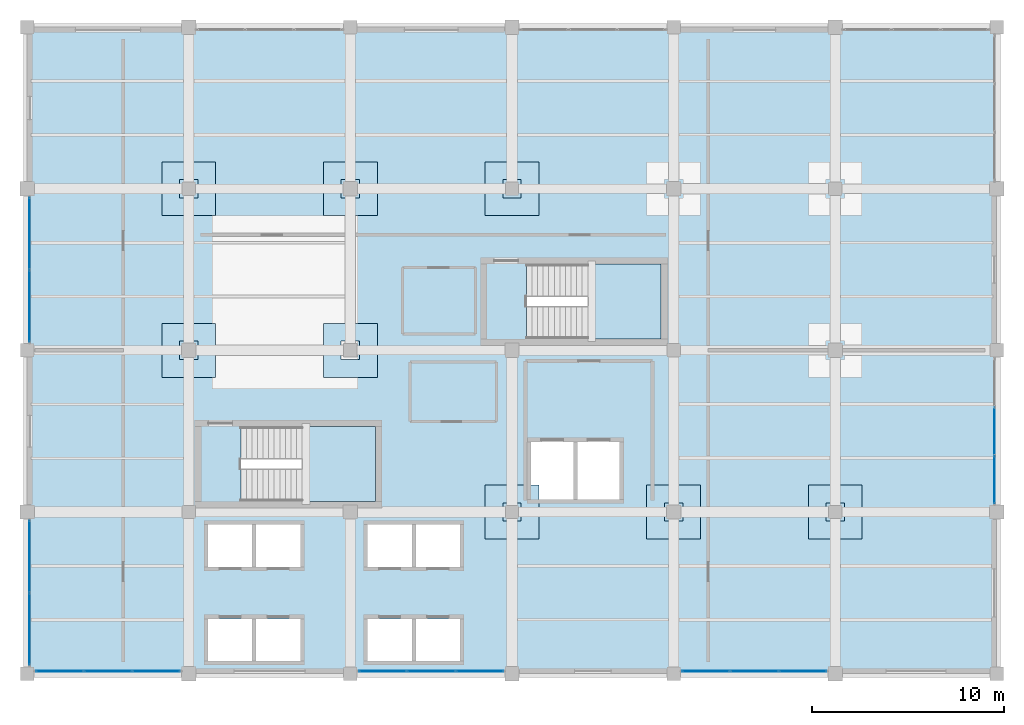
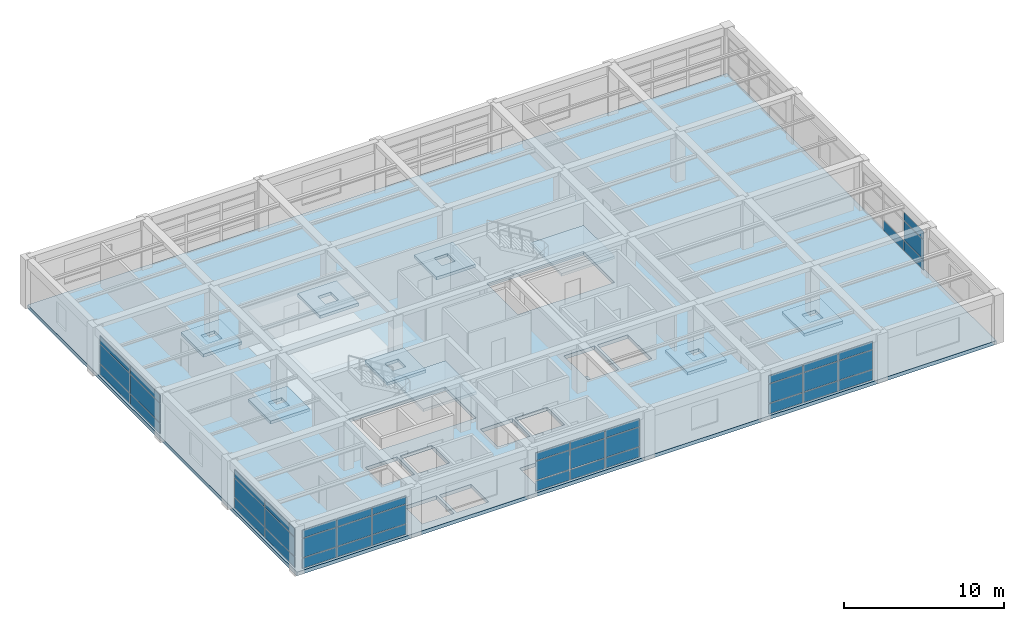
# One storey, part 22 of 26: 43 plates, 11 slabs, 8 elements without a shape of their own.
"""IFC4 building model written with IfcOpenShell, lengths in metres."""

from ifc_helpers import new_model, si_unit, direction, frame, origin, origin_2d, place, context, subcontext, project, spatial, polyline, rectangle, outline, extrude, material, layer, layer_set, type_object, element, aggregate, save


model = new_model("IFC4")

# Units and contexts
model_context = context("Model", 3, precision=1e-05, world=origin(), true_north=direction((0.0, 1.0)))
body_context = subcontext(model_context, "Body", "Model", "MODEL_VIEW")
ifc_project = project(units=[si_unit("LENGTHUNIT", "METRE"), si_unit("AREAUNIT", "SQUARE_METRE"), si_unit("VOLUMEUNIT", "CUBIC_METRE"), si_unit("PLANEANGLEUNIT", "RADIAN"), si_unit("MASSUNIT", "GRAM", prefix="KILO")], contexts=[model_context])

# Site, building, storey
site_placement = place(None, origin())
site = spatial("IfcSite", under=ifc_project, at=site_placement, CompositionType="ELEMENT")
building_placement = place(site_placement, origin())
building = spatial("IfcBuilding", under=site, at=building_placement, Name="Almacenes y Pasaje Nevantli", CompositionType="ELEMENT")
storey_placement = place(building_placement, frame((0.0, 0.0, 30.699951171875)))
storey = spatial("IfcBuildingStorey", under=building, at=storey_placement, Name="L07", CompositionType="ELEMENT", Elevation=30.699951171875)

# Curtain wall, plates
ifc_material_1 = material(Name="Thermally Broken Aluminium and Low-E Glass", Category="aluminium")
curtain_wall_type = type_object("IfcCurtainWallType", Name="CW-UNIT-TOWER", PredefinedType="USERDEFINED", material=ifc_material_1)
curtain_wall_1_placement = place(storey_placement, origin())
curtain_wall_1 = element("IfcCurtainWall", 1, at=curtain_wall_1_placement, inside=storey, type_object=curtain_wall_type, Name="L07 Tower South Unitized Curtain Wall Bay 14", ObjectType="UNITIZED CURTAIN WALL", PredefinedType="USERDEFINED")
ifc_material_2 = material(Name="Low-E Double Glazed Insulated Unit", Category="glass")
ifc_layer_1 = layer(ifc_material_2, 0.031982421875)
ifc_layer_set_1 = layer_set([ifc_layer_1], Name="Low-E Double Glazed Insulated Unit")
plate_type_1 = type_object("IfcPlateType", Name="PL-IGU-32", PredefinedType="CURTAIN_PANEL", material=ifc_layer_set_1)
plate_1_placement = place(storey_placement, frame((110.881591796875, 67.320068359375, 0.06005859375), z_axis=(0.0, 0.0, 1.0), x_axis=(1.0, 0.0, 0.0)))
plate_1 = element("IfcPlate", 2, at=plate_1_placement, type_object=plate_type_1, Name="CW-L07-111 panel 1.1", PredefinedType="CURTAIN_PANEL", context=body_context, shape_type="SweptSolid", body=[
    extrude(rectangle(XDim=2.443359375, YDim=0.031982421875, at=origin_2d()), origin(), (0.0, 0.0, 1.0), 0.760009765625),
])
plate_2_placement = place(storey_placement, frame((110.881591796875, 67.320068359375, 0.880126953125), z_axis=(0.0, 0.0, 1.0), x_axis=(1.0, 0.0, 0.0)))
plate_2 = element("IfcPlate", 3, at=plate_2_placement, type_object=plate_type_1, Name="CW-L07-111 panel 1.2", PredefinedType="CURTAIN_PANEL", context=body_context, shape_type="SweptSolid", body=[
    extrude(rectangle(XDim=2.443359375, YDim=0.031982421875, at=origin_2d()), origin(), (0.0, 0.0, 1.0), 1.43994140625),
])
plate_3_placement = place(storey_placement, frame((110.881591796875, 67.320068359375, 2.3798828125), z_axis=(0.0, 0.0, 1.0), x_axis=(1.0, 0.0, 0.0)))
plate_3 = element("IfcPlate", 4, at=plate_3_placement, type_object=plate_type_1, Name="CW-L07-111 panel 1.3", PredefinedType="CURTAIN_PANEL", context=body_context, shape_type="SweptSolid", body=[
    extrude(rectangle(XDim=2.443359375, YDim=0.031982421875, at=origin_2d()), origin(), (0.0, 0.0, 1.0), 0.60009765625),
])
plate_4_placement = place(storey_placement, frame((113.39990234375, 67.320068359375, 0.06005859375), z_axis=(0.0, 0.0, 1.0), x_axis=(1.0, 0.0, 0.0)))
plate_4 = element("IfcPlate", 5, at=plate_4_placement, type_object=plate_type_1, Name="CW-L07-111 panel 2.1", PredefinedType="CURTAIN_PANEL", context=body_context, shape_type="SweptSolid", body=[
    extrude(rectangle(XDim=2.473388671875, YDim=0.031982421875, at=origin_2d()), origin(), (0.0, 0.0, 1.0), 0.760009765625),
])
plate_5_placement = place(storey_placement, frame((113.39990234375, 67.320068359375, 0.880126953125), z_axis=(0.0, 0.0, 1.0), x_axis=(1.0, 0.0, 0.0)))
plate_5 = element("IfcPlate", 6, at=plate_5_placement, type_object=plate_type_1, Name="CW-L07-111 panel 2.2", PredefinedType="CURTAIN_PANEL", context=body_context, shape_type="SweptSolid", body=[
    extrude(rectangle(XDim=2.473388671875, YDim=0.031982421875, at=origin_2d()), origin(), (0.0, 0.0, 1.0), 1.43994140625),
])
plate_6_placement = place(storey_placement, frame((113.39990234375, 67.320068359375, 2.3798828125), z_axis=(0.0, 0.0, 1.0), x_axis=(1.0, 0.0, 0.0)))
plate_6 = element("IfcPlate", 7, at=plate_6_placement, type_object=plate_type_1, Name="CW-L07-111 panel 2.3", PredefinedType="CURTAIN_PANEL", context=body_context, shape_type="SweptSolid", body=[
    extrude(rectangle(XDim=2.473388671875, YDim=0.031982421875, at=origin_2d()), origin(), (0.0, 0.0, 1.0), 0.60009765625),
])
plate_7_placement = place(storey_placement, frame((115.918212890625, 67.320068359375, 0.06005859375), z_axis=(0.0, 0.0, 1.0), x_axis=(1.0, 0.0, 0.0)))
plate_7 = element("IfcPlate", 8, at=plate_7_placement, type_object=plate_type_1, Name="CW-L07-111 panel 3.1", PredefinedType="CURTAIN_PANEL", context=body_context, shape_type="SweptSolid", body=[
    extrude(rectangle(XDim=2.443359375, YDim=0.031982421875, at=origin_2d()), origin(), (0.0, 0.0, 1.0), 0.760009765625),
])
plate_8_placement = place(storey_placement, frame((115.918212890625, 67.320068359375, 0.880126953125), z_axis=(0.0, 0.0, 1.0), x_axis=(1.0, 0.0, 0.0)))
plate_8 = element("IfcPlate", 9, at=plate_8_placement, type_object=plate_type_1, Name="CW-L07-111 panel 3.2", PredefinedType="CURTAIN_PANEL", context=body_context, shape_type="SweptSolid", body=[
    extrude(rectangle(XDim=2.443359375, YDim=0.031982421875, at=origin_2d()), origin(), (0.0, 0.0, 1.0), 1.43994140625),
])
plate_9_placement = place(storey_placement, frame((115.918212890625, 67.320068359375, 2.3798828125), z_axis=(0.0, 0.0, 1.0), x_axis=(1.0, 0.0, 0.0)))
plate_9 = element("IfcPlate", 10, at=plate_9_placement, type_object=plate_type_1, Name="CW-L07-111 panel 3.3", PredefinedType="CURTAIN_PANEL", context=body_context, shape_type="SweptSolid", body=[
    extrude(rectangle(XDim=2.443359375, YDim=0.031982421875, at=origin_2d()), origin(), (0.0, 0.0, 1.0), 0.60009765625),
])
aggregate(curtain_wall_1, [plate_1, plate_2, plate_3, plate_4, plate_5, plate_6, plate_7, plate_8, plate_9])

curtain_wall_2_placement = place(storey_placement, origin())
curtain_wall_2 = element("IfcCurtainWall", 11, at=curtain_wall_2_placement, inside=storey, type_object=curtain_wall_type, Name="L07 Tower South Unitized Curtain Wall Bay 16", ObjectType="UNITIZED CURTAIN WALL", PredefinedType="USERDEFINED")
plate_10_placement = place(storey_placement, frame((127.681640625, 67.320068359375, 0.06005859375), z_axis=(0.0, 0.0, 1.0), x_axis=(1.0, 0.0, 0.0)))
plate_10 = element("IfcPlate", 12, at=plate_10_placement, type_object=plate_type_1, Name="CW-L07-113 panel 1.1", PredefinedType="CURTAIN_PANEL", context=body_context, shape_type="SweptSolid", body=[
    extrude(rectangle(XDim=2.443359375, YDim=0.031982421875, at=origin_2d()), origin(), (0.0, 0.0, 1.0), 0.760009765625),
])
plate_11_placement = place(storey_placement, frame((127.681640625, 67.320068359375, 0.880126953125), z_axis=(0.0, 0.0, 1.0), x_axis=(1.0, 0.0, 0.0)))
plate_11 = element("IfcPlate", 13, at=plate_11_placement, type_object=plate_type_1, Name="CW-L07-113 panel 1.2", PredefinedType="CURTAIN_PANEL", context=body_context, shape_type="SweptSolid", body=[
    extrude(rectangle(XDim=2.443359375, YDim=0.031982421875, at=origin_2d()), origin(), (0.0, 0.0, 1.0), 1.43994140625),
])
plate_12_placement = place(storey_placement, frame((127.681640625, 67.320068359375, 2.3798828125), z_axis=(0.0, 0.0, 1.0), x_axis=(1.0, 0.0, 0.0)))
plate_12 = element("IfcPlate", 14, at=plate_12_placement, type_object=plate_type_1, Name="CW-L07-113 panel 1.3", PredefinedType="CURTAIN_PANEL", context=body_context, shape_type="SweptSolid", body=[
    extrude(rectangle(XDim=2.443359375, YDim=0.031982421875, at=origin_2d()), origin(), (0.0, 0.0, 1.0), 0.60009765625),
])
plate_13_placement = place(storey_placement, frame((130.199951171875, 67.320068359375, 0.06005859375), z_axis=(0.0, 0.0, 1.0), x_axis=(1.0, 0.0, 0.0)))
plate_13 = element("IfcPlate", 15, at=plate_13_placement, type_object=plate_type_1, Name="CW-L07-113 panel 2.1", PredefinedType="CURTAIN_PANEL", context=body_context, shape_type="SweptSolid", body=[
    extrude(rectangle(XDim=2.473388671875, YDim=0.031982421875, at=origin_2d()), origin(), (0.0, 0.0, 1.0), 0.760009765625),
])
plate_14_placement = place(storey_placement, frame((130.199951171875, 67.320068359375, 0.880126953125), z_axis=(0.0, 0.0, 1.0), x_axis=(1.0, 0.0, 0.0)))
plate_14 = element("IfcPlate", 16, at=plate_14_placement, type_object=plate_type_1, Name="CW-L07-113 panel 2.2", PredefinedType="CURTAIN_PANEL", context=body_context, shape_type="SweptSolid", body=[
    extrude(rectangle(XDim=2.473388671875, YDim=0.031982421875, at=origin_2d()), origin(), (0.0, 0.0, 1.0), 1.43994140625),
])
plate_15_placement = place(storey_placement, frame((130.199951171875, 67.320068359375, 2.3798828125), z_axis=(0.0, 0.0, 1.0), x_axis=(1.0, 0.0, 0.0)))
plate_15 = element("IfcPlate", 17, at=plate_15_placement, type_object=plate_type_1, Name="CW-L07-113 panel 2.3", PredefinedType="CURTAIN_PANEL", context=body_context, shape_type="SweptSolid", body=[
    extrude(rectangle(XDim=2.473388671875, YDim=0.031982421875, at=origin_2d()), origin(), (0.0, 0.0, 1.0), 0.60009765625),
])
plate_16_placement = place(storey_placement, frame((132.71826171875, 67.320068359375, 0.06005859375), z_axis=(0.0, 0.0, 1.0), x_axis=(1.0, 0.0, 0.0)))
plate_16 = element("IfcPlate", 18, at=plate_16_placement, type_object=plate_type_1, Name="CW-L07-113 panel 3.1", PredefinedType="CURTAIN_PANEL", context=body_context, shape_type="SweptSolid", body=[
    extrude(rectangle(XDim=2.443359375, YDim=0.031982421875, at=origin_2d()), origin(), (0.0, 0.0, 1.0), 0.760009765625),
])
plate_17_placement = place(storey_placement, frame((132.71826171875, 67.320068359375, 0.880126953125), z_axis=(0.0, 0.0, 1.0), x_axis=(1.0, 0.0, 0.0)))
plate_17 = element("IfcPlate", 19, at=plate_17_placement, type_object=plate_type_1, Name="CW-L07-113 panel 3.2", PredefinedType="CURTAIN_PANEL", context=body_context, shape_type="SweptSolid", body=[
    extrude(rectangle(XDim=2.443359375, YDim=0.031982421875, at=origin_2d()), origin(), (0.0, 0.0, 1.0), 1.43994140625),
])
plate_18_placement = place(storey_placement, frame((132.71826171875, 67.320068359375, 2.3798828125), z_axis=(0.0, 0.0, 1.0), x_axis=(1.0, 0.0, 0.0)))
plate_18 = element("IfcPlate", 20, at=plate_18_placement, type_object=plate_type_1, Name="CW-L07-113 panel 3.3", PredefinedType="CURTAIN_PANEL", context=body_context, shape_type="SweptSolid", body=[
    extrude(rectangle(XDim=2.443359375, YDim=0.031982421875, at=origin_2d()), origin(), (0.0, 0.0, 1.0), 0.60009765625),
])
aggregate(curtain_wall_2, [plate_10, plate_11, plate_12, plate_13, plate_14, plate_15, plate_16, plate_17, plate_18])

curtain_wall_3_placement = place(storey_placement, origin())
curtain_wall_3 = element("IfcCurtainWall", 21, at=curtain_wall_3_placement, inside=storey, type_object=curtain_wall_type, Name="L07 Tower South Unitized Curtain Wall Bay 18", ObjectType="UNITIZED CURTAIN WALL", PredefinedType="USERDEFINED")
plate_19_placement = place(storey_placement, frame((144.481689453125, 67.320068359375, 0.06005859375), z_axis=(0.0, 0.0, 1.0), x_axis=(1.0, 0.0, 0.0)))
plate_19 = element("IfcPlate", 22, at=plate_19_placement, type_object=plate_type_1, Name="CW-L07-115 panel 1.1", PredefinedType="CURTAIN_PANEL", context=body_context, shape_type="SweptSolid", body=[
    extrude(rectangle(XDim=2.443359375, YDim=0.031982421875, at=origin_2d()), origin(), (0.0, 0.0, 1.0), 0.760009765625),
])
plate_20_placement = place(storey_placement, frame((144.481689453125, 67.320068359375, 0.880126953125), z_axis=(0.0, 0.0, 1.0), x_axis=(1.0, 0.0, 0.0)))
plate_20 = element("IfcPlate", 23, at=plate_20_placement, type_object=plate_type_1, Name="CW-L07-115 panel 1.2", PredefinedType="CURTAIN_PANEL", context=body_context, shape_type="SweptSolid", body=[
    extrude(rectangle(XDim=2.443359375, YDim=0.031982421875, at=origin_2d()), origin(), (0.0, 0.0, 1.0), 1.43994140625),
])
plate_21_placement = place(storey_placement, frame((144.481689453125, 67.320068359375, 2.3798828125), z_axis=(0.0, 0.0, 1.0), x_axis=(1.0, 0.0, 0.0)))
plate_21 = element("IfcPlate", 24, at=plate_21_placement, type_object=plate_type_1, Name="CW-L07-115 panel 1.3", PredefinedType="CURTAIN_PANEL", context=body_context, shape_type="SweptSolid", body=[
    extrude(rectangle(XDim=2.443359375, YDim=0.031982421875, at=origin_2d()), origin(), (0.0, 0.0, 1.0), 0.60009765625),
])
plate_22_placement = place(storey_placement, frame((147.0, 67.320068359375, 0.06005859375), z_axis=(0.0, 0.0, 1.0), x_axis=(1.0, 0.0, 0.0)))
plate_22 = element("IfcPlate", 25, at=plate_22_placement, type_object=plate_type_1, Name="CW-L07-115 panel 2.1", PredefinedType="CURTAIN_PANEL", context=body_context, shape_type="SweptSolid", body=[
    extrude(rectangle(XDim=2.473388671875, YDim=0.031982421875, at=origin_2d()), origin(), (0.0, 0.0, 1.0), 0.760009765625),
])
plate_23_placement = place(storey_placement, frame((147.0, 67.320068359375, 0.880126953125), z_axis=(0.0, 0.0, 1.0), x_axis=(1.0, 0.0, 0.0)))
plate_23 = element("IfcPlate", 26, at=plate_23_placement, type_object=plate_type_1, Name="CW-L07-115 panel 2.2", PredefinedType="CURTAIN_PANEL", context=body_context, shape_type="SweptSolid", body=[
    extrude(rectangle(XDim=2.473388671875, YDim=0.031982421875, at=origin_2d()), origin(), (0.0, 0.0, 1.0), 1.43994140625),
])
plate_24_placement = place(storey_placement, frame((147.0, 67.320068359375, 2.3798828125), z_axis=(0.0, 0.0, 1.0), x_axis=(1.0, 0.0, 0.0)))
plate_24 = element("IfcPlate", 27, at=plate_24_placement, type_object=plate_type_1, Name="CW-L07-115 panel 2.3", PredefinedType="CURTAIN_PANEL", context=body_context, shape_type="SweptSolid", body=[
    extrude(rectangle(XDim=2.473388671875, YDim=0.031982421875, at=origin_2d()), origin(), (0.0, 0.0, 1.0), 0.60009765625),
])
plate_25_placement = place(storey_placement, frame((149.518310546875, 67.320068359375, 0.06005859375), z_axis=(0.0, 0.0, 1.0), x_axis=(1.0, 0.0, 0.0)))
plate_25 = element("IfcPlate", 28, at=plate_25_placement, type_object=plate_type_1, Name="CW-L07-115 panel 3.1", PredefinedType="CURTAIN_PANEL", context=body_context, shape_type="SweptSolid", body=[
    extrude(rectangle(XDim=2.443359375, YDim=0.031982421875, at=origin_2d()), origin(), (0.0, 0.0, 1.0), 0.760009765625),
])
plate_26_placement = place(storey_placement, frame((149.518310546875, 67.320068359375, 0.880126953125), z_axis=(0.0, 0.0, 1.0), x_axis=(1.0, 0.0, 0.0)))
plate_26 = element("IfcPlate", 29, at=plate_26_placement, type_object=plate_type_1, Name="CW-L07-115 panel 3.2", PredefinedType="CURTAIN_PANEL", context=body_context, shape_type="SweptSolid", body=[
    extrude(rectangle(XDim=2.443359375, YDim=0.031982421875, at=origin_2d()), origin(), (0.0, 0.0, 1.0), 1.43994140625),
])
plate_27_placement = place(storey_placement, frame((149.518310546875, 67.320068359375, 2.3798828125), z_axis=(0.0, 0.0, 1.0), x_axis=(1.0, 0.0, 0.0)))
plate_27 = element("IfcPlate", 30, at=plate_27_placement, type_object=plate_type_1, Name="CW-L07-115 panel 3.3", PredefinedType="CURTAIN_PANEL", context=body_context, shape_type="SweptSolid", body=[
    extrude(rectangle(XDim=2.443359375, YDim=0.031982421875, at=origin_2d()), origin(), (0.0, 0.0, 1.0), 0.60009765625),
])
aggregate(curtain_wall_3, [plate_19, plate_20, plate_21, plate_22, plate_23, plate_24, plate_25, plate_26, plate_27])

curtain_wall_4_placement = place(storey_placement, origin())
curtain_wall_4 = element("IfcCurtainWall", 31, at=curtain_wall_4_placement, inside=storey, type_object=curtain_wall_type, Name="L07 Tower West Curtain Wall Bay 9", ObjectType="UNITIZED CURTAIN WALL", PredefinedType="USERDEFINED")
plate_28_placement = place(storey_placement, frame((109.320068359375, 69.514892578125, 0.06005859375), z_axis=(0.0, 0.0, 1.0), x_axis=(0.0, 1.0, 0.0)))
plate_28 = element("IfcPlate", 32, at=plate_28_placement, type_object=plate_type_1, Name="CW-L07-117 panel 1.1", PredefinedType="CURTAIN_PANEL", context=body_context, shape_type="SweptSolid", body=[
    extrude(rectangle(XDim=3.7099609375, YDim=0.031982421875, at=origin_2d()), origin(), (0.0, 0.0, 1.0), 0.760009765625),
])
plate_29_placement = place(storey_placement, frame((109.320068359375, 69.514892578125, 0.880126953125), z_axis=(0.0, 0.0, 1.0), x_axis=(0.0, 1.0, 0.0)))
plate_29 = element("IfcPlate", 33, at=plate_29_placement, type_object=plate_type_1, Name="CW-L07-117 panel 1.2", PredefinedType="CURTAIN_PANEL", context=body_context, shape_type="SweptSolid", body=[
    extrude(rectangle(XDim=3.7099609375, YDim=0.031982421875, at=origin_2d()), origin(), (0.0, 0.0, 1.0), 1.43994140625),
])
plate_30_placement = place(storey_placement, frame((109.320068359375, 69.514892578125, 2.3798828125), z_axis=(0.0, 0.0, 1.0), x_axis=(0.0, 1.0, 0.0)))
plate_30 = element("IfcPlate", 34, at=plate_30_placement, type_object=plate_type_1, Name="CW-L07-117 panel 1.3", PredefinedType="CURTAIN_PANEL", context=body_context, shape_type="SweptSolid", body=[
    extrude(rectangle(XDim=3.7099609375, YDim=0.031982421875, at=origin_2d()), origin(), (0.0, 0.0, 1.0), 0.60009765625),
])
plate_31_placement = place(storey_placement, frame((109.320068359375, 73.284912109375, 0.06005859375), z_axis=(0.0, 0.0, 1.0), x_axis=(0.0, 1.0, 0.0)))
plate_31 = element("IfcPlate", 35, at=plate_31_placement, type_object=plate_type_1, Name="CW-L07-117 panel 2.1", PredefinedType="CURTAIN_PANEL", context=body_context, shape_type="SweptSolid", body=[
    extrude(rectangle(XDim=3.7099609375, YDim=0.031982421875, at=origin_2d()), origin(), (0.0, 0.0, 1.0), 0.760009765625),
])
plate_32_placement = place(storey_placement, frame((109.320068359375, 73.284912109375, 0.880126953125), z_axis=(0.0, 0.0, 1.0), x_axis=(0.0, 1.0, 0.0)))
plate_32 = element("IfcPlate", 36, at=plate_32_placement, type_object=plate_type_1, Name="CW-L07-117 panel 2.2", PredefinedType="CURTAIN_PANEL", context=body_context, shape_type="SweptSolid", body=[
    extrude(rectangle(XDim=3.7099609375, YDim=0.031982421875, at=origin_2d()), origin(), (0.0, 0.0, 1.0), 1.43994140625),
])
plate_33_placement = place(storey_placement, frame((109.320068359375, 73.284912109375, 2.3798828125), z_axis=(0.0, 0.0, 1.0), x_axis=(0.0, 1.0, 0.0)))
plate_33 = element("IfcPlate", 37, at=plate_33_placement, type_object=plate_type_1, Name="CW-L07-117 panel 2.3", PredefinedType="CURTAIN_PANEL", context=body_context, shape_type="SweptSolid", body=[
    extrude(rectangle(XDim=3.7099609375, YDim=0.031982421875, at=origin_2d()), origin(), (0.0, 0.0, 1.0), 0.60009765625),
])
aggregate(curtain_wall_4, [plate_28, plate_29, plate_30, plate_31, plate_32, plate_33])

curtain_wall_5_placement = place(storey_placement, origin())
curtain_wall_5 = element("IfcCurtainWall", 38, at=curtain_wall_5_placement, inside=storey, type_object=curtain_wall_type, Name="L07 Tower West Curtain Wall Bay 11", ObjectType="UNITIZED CURTAIN WALL", PredefinedType="USERDEFINED")
plate_34_placement = place(storey_placement, frame((109.320068359375, 86.31494140625, 0.06005859375), z_axis=(0.0, 0.0, 1.0), x_axis=(0.0, 1.0, 0.0)))
plate_34 = element("IfcPlate", 39, at=plate_34_placement, type_object=plate_type_1, Name="CW-L07-119 panel 1.1", PredefinedType="CURTAIN_PANEL", context=body_context, shape_type="SweptSolid", body=[
    extrude(rectangle(XDim=3.7099609375, YDim=0.031982421875, at=origin_2d()), origin(), (0.0, 0.0, 1.0), 0.760009765625),
])
plate_35_placement = place(storey_placement, frame((109.320068359375, 86.31494140625, 0.880126953125), z_axis=(0.0, 0.0, 1.0), x_axis=(0.0, 1.0, 0.0)))
plate_35 = element("IfcPlate", 40, at=plate_35_placement, type_object=plate_type_1, Name="CW-L07-119 panel 1.2", PredefinedType="CURTAIN_PANEL", context=body_context, shape_type="SweptSolid", body=[
    extrude(rectangle(XDim=3.7099609375, YDim=0.031982421875, at=origin_2d()), origin(), (0.0, 0.0, 1.0), 1.43994140625),
])
plate_36_placement = place(storey_placement, frame((109.320068359375, 86.31494140625, 2.3798828125), z_axis=(0.0, 0.0, 1.0), x_axis=(0.0, 1.0, 0.0)))
plate_36 = element("IfcPlate", 41, at=plate_36_placement, type_object=plate_type_1, Name="CW-L07-119 panel 1.3", PredefinedType="CURTAIN_PANEL", context=body_context, shape_type="SweptSolid", body=[
    extrude(rectangle(XDim=3.7099609375, YDim=0.031982421875, at=origin_2d()), origin(), (0.0, 0.0, 1.0), 0.60009765625),
])
plate_37_placement = place(storey_placement, frame((109.320068359375, 90.0849609375, 0.06005859375), z_axis=(0.0, 0.0, 1.0), x_axis=(0.0, 1.0, 0.0)))
plate_37 = element("IfcPlate", 42, at=plate_37_placement, type_object=plate_type_1, Name="CW-L07-119 panel 2.1", PredefinedType="CURTAIN_PANEL", context=body_context, shape_type="SweptSolid", body=[
    extrude(rectangle(XDim=3.7099609375, YDim=0.031982421875, at=origin_2d()), origin(), (0.0, 0.0, 1.0), 0.760009765625),
])
plate_38_placement = place(storey_placement, frame((109.320068359375, 90.0849609375, 0.880126953125), z_axis=(0.0, 0.0, 1.0), x_axis=(0.0, 1.0, 0.0)))
plate_38 = element("IfcPlate", 43, at=plate_38_placement, type_object=plate_type_1, Name="CW-L07-119 panel 2.2", PredefinedType="CURTAIN_PANEL", context=body_context, shape_type="SweptSolid", body=[
    extrude(rectangle(XDim=3.7099609375, YDim=0.031982421875, at=origin_2d()), origin(), (0.0, 0.0, 1.0), 1.43994140625),
])
plate_39_placement = place(storey_placement, frame((109.320068359375, 90.0849609375, 2.3798828125), z_axis=(0.0, 0.0, 1.0), x_axis=(0.0, 1.0, 0.0)))
plate_39 = element("IfcPlate", 44, at=plate_39_placement, type_object=plate_type_1, Name="CW-L07-119 panel 2.3", PredefinedType="CURTAIN_PANEL", context=body_context, shape_type="SweptSolid", body=[
    extrude(rectangle(XDim=3.7099609375, YDim=0.031982421875, at=origin_2d()), origin(), (0.0, 0.0, 1.0), 0.60009765625),
])
aggregate(curtain_wall_5, [plate_34, plate_35, plate_36, plate_37, plate_38, plate_39])

curtain_wall_6_placement = place(storey_placement, origin())
curtain_wall_6 = element("IfcCurtainWall", 45, at=curtain_wall_6_placement, inside=storey, type_object=curtain_wall_type, Name="L07 Tower East Curtain Wall Bay 10", ObjectType="UNITIZED CURTAIN WALL", PredefinedType="USERDEFINED")
ifc_material_3 = material(Name="Acoustic Tempered Low-E Triple Glazed Unit", Category="glass")
ifc_layer_2 = layer(ifc_material_3, 0.0419921875)
ifc_layer_set_2 = layer_set([ifc_layer_2], Name="Acoustic Tempered Low-E Triple Glazed Unit")
plate_type_2 = type_object("IfcPlateType", Name="PL-IGU-42", PredefinedType="CURTAIN_PANEL", material=ifc_layer_set_2)
plate_40_placement = place(storey_placement, frame((159.47998046875, 77.28173828125, 0.06005859375), z_axis=(0.0, 0.0, 1.0), x_axis=(0.0, 1.0, 0.0)))
plate_40 = element("IfcPlate", 46, at=plate_40_placement, type_object=plate_type_2, Name="CW-L07-118 panel 1.1", PredefinedType="CURTAIN_PANEL", context=body_context, shape_type="SweptSolid", body=[
    extrude(rectangle(XDim=2.443359375, YDim=0.0419921875, at=origin_2d()), origin(), (0.0, 0.0, 1.0), 0.760009765625),
])
plate_41_placement = place(storey_placement, frame((159.47998046875, 77.28173828125, 0.880126953125), z_axis=(0.0, 0.0, 1.0), x_axis=(0.0, 1.0, 0.0)))
plate_41 = element("IfcPlate", 47, at=plate_41_placement, type_object=plate_type_2, Name="CW-L07-118 panel 1.2", PredefinedType="CURTAIN_PANEL", context=body_context, shape_type="SweptSolid", body=[
    extrude(rectangle(XDim=2.443359375, YDim=0.0419921875, at=origin_2d()), origin(), (0.0, 0.0, 1.0), 1.43994140625),
])
plate_42_placement = place(storey_placement, frame((159.47998046875, 77.28173828125, 2.3798828125), z_axis=(0.0, 0.0, 1.0), x_axis=(0.0, 1.0, 0.0)))
plate_42 = element("IfcPlate", 48, at=plate_42_placement, type_object=plate_type_2, Name="CW-L07-118 panel 1.3", PredefinedType="CURTAIN_PANEL", context=body_context, shape_type="SweptSolid", body=[
    extrude(rectangle(XDim=2.443359375, YDim=0.0419921875, at=origin_2d()), origin(), (0.0, 0.0, 1.0), 0.60009765625),
])
plate_43_placement = place(storey_placement, frame((159.47998046875, 79.800048828125, 0.06005859375), z_axis=(0.0, 0.0, 1.0), x_axis=(0.0, 1.0, 0.0)))
plate_43 = element("IfcPlate", 49, at=plate_43_placement, type_object=plate_type_2, Name="CW-L07-118 panel 2.1", PredefinedType="CURTAIN_PANEL", context=body_context, shape_type="SweptSolid", body=[
    extrude(rectangle(XDim=2.473388671875, YDim=0.0419921875, at=origin_2d()), origin(), (0.0, 0.0, 1.0), 0.760009765625),
])
aggregate(curtain_wall_6, [plate_40, plate_41, plate_42, plate_43])

# Slabs
ifc_material_4 = material(Name="Concrete C35/45", Category="concrete")
ifc_layer_3 = layer(ifc_material_4, 0.22998046875)
ifc_layer_set_3 = layer_set([ifc_layer_3], Name="Concrete C35/45")
slab_type_1 = type_object("IfcSlabType", Name="SLB-DP-230", PredefinedType="USERDEFINED", material=ifc_layer_set_3)
slab_1_placement = place(storey_placement, frame((0.0, 0.0, -0.510009765625)))
element("IfcSlab", 50, at=slab_1_placement, inside=storey, type_object=slab_type_1, Name="L07 Punching-Shear Drop Panel DP-01 #1110", ObjectType="DROP PANEL", PredefinedType="USERDEFINED", context=body_context, shape_type="SweptSolid", body=[
    extrude(outline(polyline([(116.199951171875, 82.60009765625), (119.0, 82.60009765625), (119.0, 85.39990234375), (116.199951171875, 85.39990234375), (116.199951171875, 82.60009765625)]), holes=[polyline([(117.1201171875, 83.52001953125), (118.080078125, 83.52001953125), (118.080078125, 84.47998046875), (117.1201171875, 84.47998046875), (117.1201171875, 83.52001953125)])]), origin(), (0.0, 0.0, 1.0), 0.22998046875),
])
slab_2_placement = place(storey_placement, frame((0.0, 0.0, -0.510009765625)))
element("IfcSlab", 51, at=slab_2_placement, inside=storey, type_object=slab_type_1, Name="L07 Punching-Shear Drop Panel DP-01 #1111", ObjectType="DROP PANEL", PredefinedType="USERDEFINED", context=body_context, shape_type="SweptSolid", body=[
    extrude(outline(polyline([(116.199951171875, 91.0), (119.0, 91.0), (119.0, 93.800048828125), (116.199951171875, 93.800048828125), (116.199951171875, 91.0)]), holes=[polyline([(117.1201171875, 91.919921875), (118.080078125, 91.919921875), (118.080078125, 92.8798828125), (117.1201171875, 92.8798828125), (117.1201171875, 91.919921875)])]), origin(), (0.0, 0.0, 1.0), 0.22998046875),
])
slab_3_placement = place(storey_placement, frame((0.0, 0.0, -0.510009765625)))
element("IfcSlab", 52, at=slab_3_placement, inside=storey, type_object=slab_type_1, Name="L07 Punching-Shear Drop Panel DP-01 #1112", ObjectType="DROP PANEL", PredefinedType="USERDEFINED", context=body_context, shape_type="SweptSolid", body=[
    extrude(outline(polyline([(124.60009765625, 82.60009765625), (127.39990234375, 82.60009765625), (127.39990234375, 85.39990234375), (124.60009765625, 85.39990234375), (124.60009765625, 82.60009765625)]), holes=[polyline([(125.52001953125, 83.52001953125), (126.47998046875, 83.52001953125), (126.47998046875, 84.47998046875), (125.52001953125, 84.47998046875), (125.52001953125, 83.52001953125)])]), origin(), (0.0, 0.0, 1.0), 0.22998046875),
])
slab_4_placement = place(storey_placement, frame((0.0, 0.0, -0.510009765625)))
element("IfcSlab", 53, at=slab_4_placement, inside=storey, type_object=slab_type_1, Name="L07 Punching-Shear Drop Panel DP-01 #1113", ObjectType="DROP PANEL", PredefinedType="USERDEFINED", context=body_context, shape_type="SweptSolid", body=[
    extrude(outline(polyline([(124.60009765625, 91.0), (127.39990234375, 91.0), (127.39990234375, 93.800048828125), (124.60009765625, 93.800048828125), (124.60009765625, 91.0)]), holes=[polyline([(125.52001953125, 91.919921875), (126.47998046875, 91.919921875), (126.47998046875, 92.8798828125), (125.52001953125, 92.8798828125), (125.52001953125, 91.919921875)])]), origin(), (0.0, 0.0, 1.0), 0.22998046875),
])
slab_5_placement = place(storey_placement, frame((0.0, 0.0, -0.510009765625)))
element("IfcSlab", 54, at=slab_5_placement, inside=storey, type_object=slab_type_1, Name="L07 Punching-Shear Drop Panel DP-01 #1114", ObjectType="DROP PANEL", PredefinedType="USERDEFINED", context=body_context, shape_type="SweptSolid", body=[
    extrude(outline(polyline([(133.0, 74.199951171875), (135.800048828125, 74.199951171875), (135.800048828125, 77.0), (133.0, 77.0), (133.0, 74.199951171875)]), holes=[polyline([(133.919921875, 75.1201171875), (134.8798828125, 75.1201171875), (134.8798828125, 76.080078125), (133.919921875, 76.080078125), (133.919921875, 75.1201171875)])]), origin(), (0.0, 0.0, 1.0), 0.22998046875),
])
slab_6_placement = place(storey_placement, frame((0.0, 0.0, -0.510009765625)))
element("IfcSlab", 55, at=slab_6_placement, inside=storey, type_object=slab_type_1, Name="L07 Punching-Shear Drop Panel DP-01 #1115", ObjectType="DROP PANEL", PredefinedType="USERDEFINED", context=body_context, shape_type="SweptSolid", body=[
    extrude(outline(polyline([(133.0, 91.0), (135.800048828125, 91.0), (135.800048828125, 93.800048828125), (133.0, 93.800048828125), (133.0, 91.0)]), holes=[polyline([(133.919921875, 91.919921875), (134.8798828125, 91.919921875), (134.8798828125, 92.8798828125), (133.919921875, 92.8798828125), (133.919921875, 91.919921875)])]), origin(), (0.0, 0.0, 1.0), 0.22998046875),
])
slab_7_placement = place(storey_placement, frame((0.0, 0.0, -0.510009765625)))
element("IfcSlab", 56, at=slab_7_placement, inside=storey, type_object=slab_type_1, Name="L07 Punching-Shear Drop Panel DP-01 #1116", ObjectType="DROP PANEL", PredefinedType="USERDEFINED", context=body_context, shape_type="SweptSolid", body=[
    extrude(outline(polyline([(141.39990234375, 74.199951171875), (144.199951171875, 74.199951171875), (144.199951171875, 77.0), (141.39990234375, 77.0), (141.39990234375, 74.199951171875)]), holes=[polyline([(142.320068359375, 75.1201171875), (143.280029296875, 75.1201171875), (143.280029296875, 76.080078125), (142.320068359375, 76.080078125), (142.320068359375, 75.1201171875)])]), origin(), (0.0, 0.0, 1.0), 0.22998046875),
])
slab_8_placement = place(storey_placement, frame((0.0, 0.0, -0.510009765625)))
element("IfcSlab", 57, at=slab_8_placement, inside=storey, type_object=slab_type_1, Name="L07 Punching-Shear Drop Panel DP-01 #1118", ObjectType="DROP PANEL", PredefinedType="USERDEFINED", context=body_context, shape_type="SweptSolid", body=[
    extrude(outline(polyline([(149.800048828125, 74.199951171875), (152.60009765625, 74.199951171875), (152.60009765625, 77.0), (149.800048828125, 77.0), (149.800048828125, 74.199951171875)]), holes=[polyline([(150.719970703125, 75.1201171875), (151.679931640625, 75.1201171875), (151.679931640625, 76.080078125), (150.719970703125, 76.080078125), (150.719970703125, 75.1201171875)])]), origin(), (0.0, 0.0, 1.0), 0.22998046875),
])
ifc_material_5 = material(Name="Concrete C35/45", Category="concrete")
ifc_layer_4 = layer(ifc_material_5, 0.280029296875)
ifc_layer_set_4 = layer_set([ifc_layer_4], Name="Concrete C35/45")
slab_type_2 = type_object("IfcSlabType", Name="SLB-FLR-280", PredefinedType="FLOOR", material=ifc_layer_set_4)
slab_9_placement = place(storey_placement, frame((0.0, 0.0, -0.280029296875)))
element("IfcSlab", 58, at=slab_9_placement, inside=storey, type_object=slab_type_2, Name="L07 Corporate Office Tower Floor Slab", PredefinedType="FLOOR", context=body_context, shape_type="SweptSolid", body=[
    extrude(outline(polyline([(109.199951171875, 67.199951171875), (159.60009765625, 67.199951171875), (159.60009765625, 100.800048828125), (109.199951171875, 100.800048828125), (109.199951171875, 67.199951171875)]), holes=[polyline([(120.31494140625, 76.14990234375), (127.300048828125, 76.14990234375), (127.300048828125, 80.0400390625), (120.31494140625, 80.0400390625), (120.31494140625, 76.14990234375)]), polyline([(135.1650390625, 84.60009765625), (142.14990234375, 84.60009765625), (142.14990234375, 88.489990234375), (135.1650390625, 88.489990234375), (135.1650390625, 84.60009765625)]), polyline([(126.89990234375, 67.85009765625), (129.199951171875, 67.85009765625), (129.199951171875, 70.050048828125), (126.89990234375, 70.050048828125), (126.89990234375, 67.85009765625)]), polyline([(129.39990234375, 67.85009765625), (131.699951171875, 67.85009765625), (131.699951171875, 70.050048828125), (129.39990234375, 70.050048828125), (129.39990234375, 67.85009765625)]), polyline([(126.89990234375, 72.75), (129.199951171875, 72.75), (129.199951171875, 74.949951171875), (126.89990234375, 74.949951171875), (126.89990234375, 72.75)]), polyline([(129.39990234375, 72.75), (131.699951171875, 72.75), (131.699951171875, 74.949951171875), (129.39990234375, 74.949951171875), (129.39990234375, 72.75)]), polyline([(118.60009765625, 67.85009765625), (120.89990234375, 67.85009765625), (120.89990234375, 70.050048828125), (118.60009765625, 70.050048828125), (118.60009765625, 67.85009765625)]), polyline([(121.10009765625, 67.85009765625), (123.39990234375, 67.85009765625), (123.39990234375, 70.050048828125), (121.10009765625, 70.050048828125), (121.10009765625, 67.85009765625)]), polyline([(118.60009765625, 72.75), (120.89990234375, 72.75), (120.89990234375, 74.949951171875), (118.60009765625, 74.949951171875), (118.60009765625, 72.75)]), polyline([(121.10009765625, 72.75), (123.39990234375, 72.75), (123.39990234375, 74.949951171875), (121.10009765625, 74.949951171875), (121.10009765625, 72.75)]), polyline([(135.39990234375, 76.25), (137.60009765625, 76.25), (137.60009765625, 79.25), (135.39990234375, 79.25), (135.39990234375, 76.25)]), polyline([(137.800048828125, 76.25), (140.0, 76.25), (140.0, 79.25), (137.800048828125, 79.25), (137.800048828125, 76.25)])]), origin(), (0.0, 0.0, 1.0), 0.280029296875),
])

# Stair, slab
ifc_material_6 = material(Name="Concrete C35/45", Category="concrete")
stair_type = type_object("IfcStairType", Name="STR-CORE-1720", PredefinedType="HALF_TURN_STAIR", material=ifc_material_6)
stair_1_placement = place(storey_placement, origin())
stair_1 = element("IfcStair", 59, at=stair_1_placement, inside=storey, type_object=stair_type, Name="L07 Staircase ST-01", PredefinedType="HALF_TURN_STAIR")
ifc_material_7 = material(Name="Concrete C35/45", Category="concrete")
ifc_layer_5 = layer(ifc_material_7, 0.199951171875)
ifc_layer_set_5 = layer_set([ifc_layer_5], Name="Concrete C35/45")
slab_type_3 = type_object("IfcSlabType", Name="SLB-LAND-200", PredefinedType="LANDING", material=ifc_layer_set_5)
slab_10_placement = place(storey_placement, frame((0.0, 0.0, 1.800048828125)))
slab_10 = element("IfcSlab", 60, at=slab_10_placement, type_object=slab_type_3, Name="ST-01-L07 landing 1", PredefinedType="LANDING", context=body_context, shape_type="SweptSolid", body=[
    extrude(outline(polyline([(123.47509765625, 76.14990234375), (127.300048828125, 76.14990234375), (127.300048828125, 80.0400390625), (123.47509765625, 80.0400390625), (123.47509765625, 76.14990234375)])), origin(), (0.0, 0.0, 1.0), 0.199951171875),
])
aggregate(stair_1, [slab_10])

stair_2_placement = place(storey_placement, origin())
stair_2 = element("IfcStair", 61, at=stair_2_placement, inside=storey, type_object=stair_type, Name="L07 Staircase ST-02", PredefinedType="HALF_TURN_STAIR")
slab_11_placement = place(storey_placement, frame((0.0, 0.0, 1.800048828125)))
slab_11 = element("IfcSlab", 62, at=slab_11_placement, type_object=slab_type_3, Name="ST-02-L07 landing 1", PredefinedType="LANDING", context=body_context, shape_type="SweptSolid", body=[
    extrude(outline(polyline([(138.324951171875, 84.60009765625), (142.14990234375, 84.60009765625), (142.14990234375, 88.489990234375), (138.324951171875, 88.489990234375), (138.324951171875, 84.60009765625)])), origin(), (0.0, 0.0, 1.0), 0.199951171875),
])
aggregate(stair_2, [slab_11])

save(model, "model.ifc")
